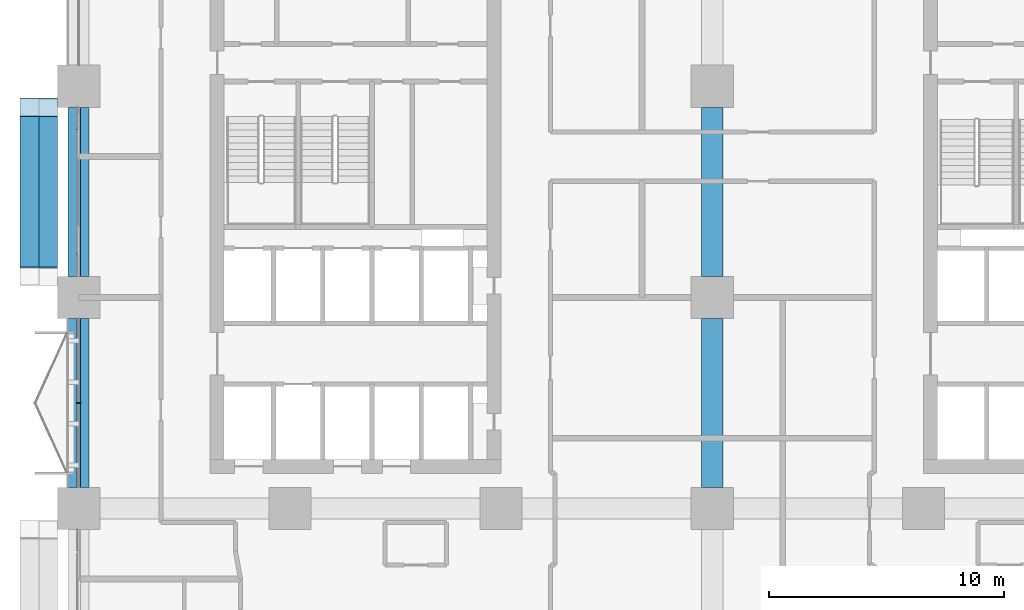
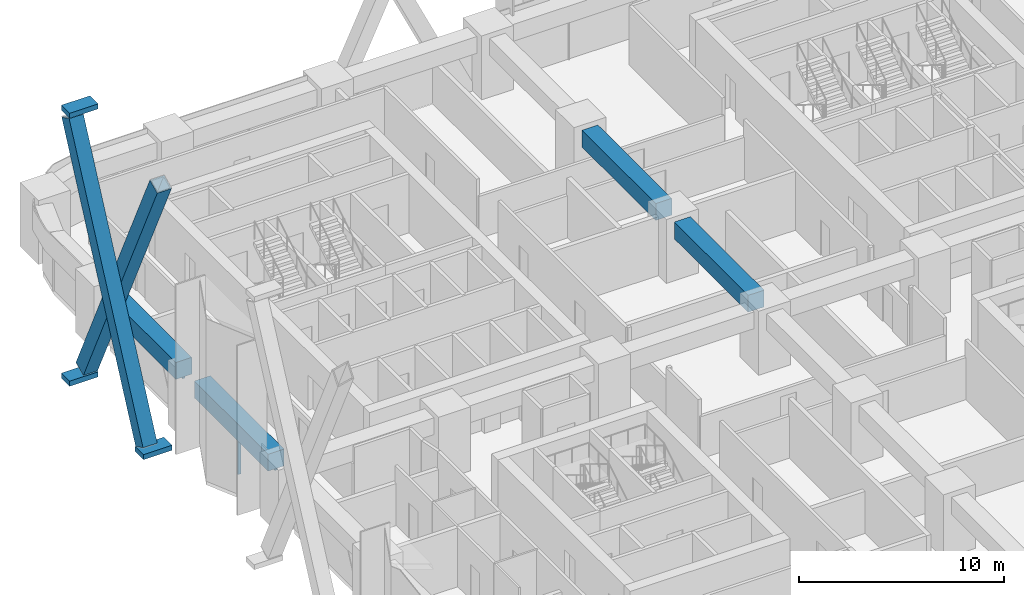
# One storey, part 6 of 23: 8 members, 4 beams, 2 elements without a shape of their own.
"""IFC4 building model written with IfcOpenShell, lengths in metres."""

from ifc_helpers import new_model, si_unit, direction, frame, origin, origin_2d, place, context, subcontext, project, spatial, rectangle, hollow_rectangle, extrude, material, layer, layer_set, material_profile, profile_set, type_object, element, aggregate, save


model = new_model("IFC4")

# Units and contexts
model_context = context("Model", 3, precision=1e-05, world=origin(), true_north=direction((0.0, 1.0)))
body_context = subcontext(model_context, "Body", "Model", "MODEL_VIEW")
ifc_project = project(units=[si_unit("LENGTHUNIT", "METRE"), si_unit("AREAUNIT", "SQUARE_METRE"), si_unit("VOLUMEUNIT", "CUBIC_METRE"), si_unit("PLANEANGLEUNIT", "RADIAN"), si_unit("MASSUNIT", "GRAM", prefix="KILO")], contexts=[model_context])

# Site, building, storey
site_placement = place(None, origin())
site = spatial("IfcSite", under=ifc_project, at=site_placement, CompositionType="ELEMENT")
building_placement = place(site_placement, origin())
building = spatial("IfcBuilding", under=site, at=building_placement, Name="Tessera Arch", CompositionType="ELEMENT")
storey_placement = place(building_placement, frame((0.0, 0.0, 46.199951171875)))
storey = spatial("IfcBuildingStorey", under=building, at=storey_placement, Name="L09", CompositionType="ELEMENT", Elevation=46.199951171875)

# Members
ifc_material_1 = material(Name="Steel A572 Gr50", Category="steel")
ifc_material_profile_1 = material_profile(ifc_material_1, hollow_rectangle(XDim=0.800048828125, YDim=0.800048828125, WallThickness=0.06005859375, at=origin_2d()), Name="BOX 800x800x60")
ifc_profile_set_1 = profile_set([ifc_material_profile_1], Name="Steel A572 Gr50")
member_type_1 = type_object("IfcMemberType", Name="Brace BOX 800x800x60 Steel A572 Gr50", PredefinedType="BRACE", material=ifc_profile_set_1)
for number, where, z_axis, x_axis, name in (
    (1, (-1.300048828125, 44.10009765625, -0.800048828125), (0.0, -0.428091336491, 0.903735474363), (1.0, 0.0, 0.0), "Brace W0.0-1 A L09-L12"),
    (2, (-2.10009765625, 36.89990234375, -0.800048828125), (0.0, 0.428091336491, 0.903735474363), (-1.0, 0.0, 0.0), "Brace W0.0-1 B L09-L12"),
):
    element("IfcMember", number, at=place(storey_placement, frame(where, z_axis=z_axis, x_axis=x_axis)), inside=storey, type_object=member_type_1, Name=name, PredefinedType="BRACE", context=body_context, shape_type="SweptSolid", body=[
        extrude(hollow_rectangle(XDim=0.800048828125, YDim=0.800048828125, WallThickness=0.06005859375, at=origin_2d()), origin(), (0.0, 0.0, 1.0), 16.8193359375),
    ])

# Curtain wall, members
ifc_material_2 = material(Name="CW1 curtain wall")
curtain_wall_type_1 = type_object("IfcCurtainWallType", Name="CW1 curtain wall", PredefinedType="NOTDEFINED", material=ifc_material_2)
curtain_wall_1_placement = place(storey_placement, origin())
curtain_wall_1 = element("IfcCurtainWall", 3, at=curtain_wall_1_placement, inside=storey, type_object=curtain_wall_type_1, Name="CW1 curtain wall W0.0/2 L09", PredefinedType="NOTDEFINED")
ifc_material_3 = material(Name="Anodised aluminium pale metal", Category="aluminium")
ifc_material_profile_2 = material_profile(ifc_material_3, rectangle(XDim=0.159912109375, YDim=0.06005859375, at=origin_2d()), Name="AL 60x160")
ifc_profile_set_2 = profile_set([ifc_material_profile_2], Name="Anodised aluminium pale metal")
member_type_2 = type_object("IfcMemberType", Name="CW1 mullion", PredefinedType="MULLION", material=ifc_profile_set_2)
member_1_placement = place(storey_placement, frame((0.0, 31.5, 0.0), z_axis=(0.0, 0.0, 1.0), x_axis=(1.0, 0.0, 0.0)))
member_1 = element("IfcMember", 4, at=member_1_placement, type_object=member_type_2, Name="CW1 mullion W0.0/2 1", PredefinedType="MULLION", context=body_context, shape_type="SweptSolid", body=[
    extrude(rectangle(XDim=0.159912109375, YDim=0.06005859375, at=origin_2d()), origin(), (0.0, 0.0, 1.0), 2.400146484375),
])
ifc_material_4 = material(Name="Anodised aluminium pale metal", Category="aluminium")
ifc_material_profile_3 = material_profile(ifc_material_4, rectangle(XDim=0.159912109375, YDim=0.10009765625, at=origin_2d()), Name="AL 160x100")
ifc_profile_set_3 = profile_set([ifc_material_profile_3], Name="Anodised aluminium pale metal")
member_type_3 = type_object("IfcMemberType", Name="CW1 transom", PredefinedType="USERDEFINED", material=ifc_profile_set_3)
member_2_placement = place(storey_placement, frame((0.0, 35.10009765625, 2.449951171875), z_axis=(0.0, -1.0, 0.0), x_axis=(1.0, 0.0, 0.0)))
member_2 = element("IfcMember", 5, at=member_2_placement, type_object=member_type_3, Name="CW1 transom W0.0/2 1.1", ObjectType="TRANSOM", PredefinedType="USERDEFINED", context=body_context, shape_type="SweptSolid", body=[
    extrude(rectangle(XDim=0.159912109375, YDim=0.10009765625, at=origin_2d()), origin(), (0.0, 0.0, 1.0), 7.2001953125),
])
aggregate(curtain_wall_1, [member_1, member_2])

# Curtain wall, member
ifc_material_5 = material(Name="CW3 curtain wall")
curtain_wall_type_2 = type_object("IfcCurtainWallType", Name="CW3 curtain wall", PredefinedType="NOTDEFINED", material=ifc_material_5)
curtain_wall_2_placement = place(storey_placement, origin())
curtain_wall_2 = element("IfcCurtainWall", 6, at=curtain_wall_2_placement, inside=storey, type_object=curtain_wall_type_2, Name="CW3 curtain wall W0.0/1 L09", PredefinedType="NOTDEFINED")
ifc_material_6 = material(Name="Anodised aluminium pale metal", Category="aluminium")
ifc_material_profile_4 = material_profile(ifc_material_6, rectangle(XDim=0.139892578125, YDim=0.10009765625, at=origin_2d()), Name="AL 140x100")
ifc_profile_set_4 = profile_set([ifc_material_profile_4], Name="Anodised aluminium pale metal")
member_type_4 = type_object("IfcMemberType", Name="CW3 transom", PredefinedType="USERDEFINED", material=ifc_profile_set_4)
member_3_placement = place(storey_placement, frame((0.0, 44.10009765625, 2.449951171875), z_axis=(0.0, -1.0, 0.0), x_axis=(1.0, 0.0, 0.0)))
member_3 = element("IfcMember", 7, at=member_3_placement, type_object=member_type_4, Name="CW3 transom W0.0/1 1.1", ObjectType="TRANSOM", PredefinedType="USERDEFINED", context=body_context, shape_type="SweptSolid", body=[
    extrude(rectangle(XDim=0.139892578125, YDim=0.10009765625, at=origin_2d()), origin(), (0.0, 0.0, 1.0), 7.2001953125),
])
aggregate(curtain_wall_2, [member_3])

# Members
ifc_material_7 = material(Name="Steel A572 Gr50", Category="steel")
ifc_layer = layer(ifc_material_7, 0.050048828125)
ifc_layer_set = layer_set([ifc_layer], Name="Node block Steel A572 Gr50")
member_type_5 = type_object("IfcMemberType", Name="Node block Steel A572 Gr50", PredefinedType="PLATE", material=ifc_layer_set)
for number, where, z_axis, x_axis, name in (
    (8, (-1.699951171875, 36.89990234375, -1.31640625), (0.0, 0.0, 1.0), (0.0, -1.0, 0.0), "Node block seat W0.0-1 1 L09"),
    (9, (-1.699951171875, 44.10009765625, -1.31640625), (0.0, 0.0, 1.0), (0.0, -1.0, 0.0), "Node block seat W0.0-1 2 L09"),
    (10, (-1.699951171875, 44.10009765625, 14.6162109375), (0.0, 0.0, 1.0), (0.0, -1.0, 0.0), "Node block head W0.0-1 B L09"),
):
    element("IfcMember", number, at=place(storey_placement, frame(where, z_axis=z_axis, x_axis=x_axis)), inside=storey, type_object=member_type_5, Name=name, PredefinedType="PLATE", context=body_context, shape_type="SweptSolid", body=[
        extrude(rectangle(XDim=0.800048828125, YDim=1.60009765625, at=origin_2d()), origin(), (0.0, 0.0, 1.0), 0.300048828125),
    ])

# Beams
ifc_material_8 = material(Name="Concrete C80/95", Category="concrete")
ifc_material_profile_5 = material_profile(ifc_material_8, rectangle(XDim=0.89990234375, YDim=1.0, at=origin_2d()), Name="RC spandrel beam 900 x 1000 Concrete C80/95")
ifc_profile_set_5 = profile_set([ifc_material_profile_5], Name="Concrete C80/95")
beam_type = type_object("IfcBeamType", Name="RC spandrel beam 900 x 1000 Concrete C80/95", PredefinedType="BEAM", material=ifc_profile_set_5)
for number, where, z_axis, x_axis, name in (
    (11, (0.0, 44.10009765625, 3.0), (0.0, -1.0, 0.0), (1.0, 0.0, 0.0), "Spandrel beam L09 W0.0/1"),
    (12, (0.0, 35.10009765625, 3.0), (0.0, -1.0, 0.0), (1.0, 0.0, 0.0), "Spandrel beam L09 W0.0/2"),
    (13, (27.0, 27.89990234375, 3.0), (0.0, 1.0, 0.0), (-1.0, 0.0, 0.0), "Interface beam L09 I0C4D-C4E"),
    (14, (27.0, 36.89990234375, 3.0), (0.0, 1.0, 0.0), (-1.0, 0.0, 0.0), "Interface beam L09 I0C4E-C4F"),
):
    element("IfcBeam", number, at=place(storey_placement, frame(where, z_axis=z_axis, x_axis=x_axis)), inside=storey, type_object=beam_type, Name=name, PredefinedType="BEAM", context=body_context, shape_type="SweptSolid", body=[
        extrude(rectangle(XDim=0.89990234375, YDim=1.0, at=origin_2d()), origin(), (0.0, 0.0, 1.0), 7.2001953125),
    ])

save(model, "model.ifc")
